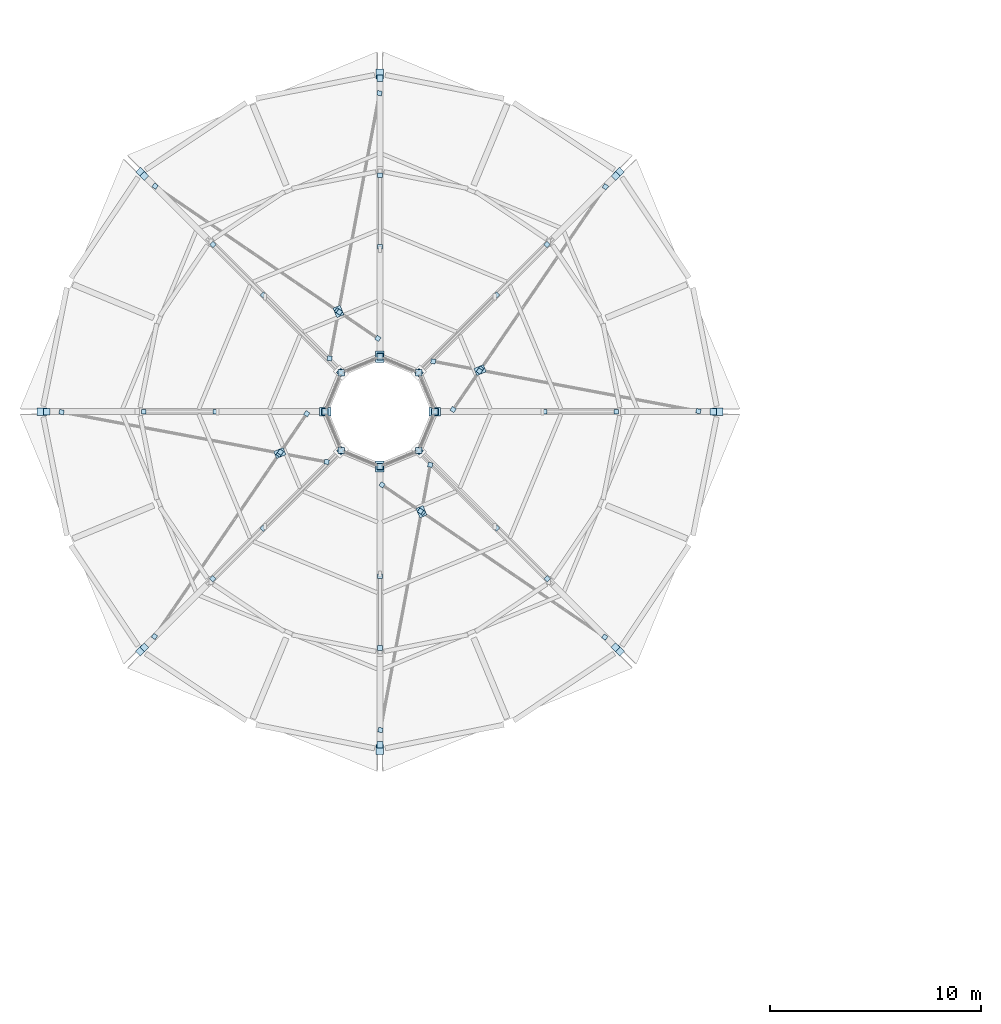
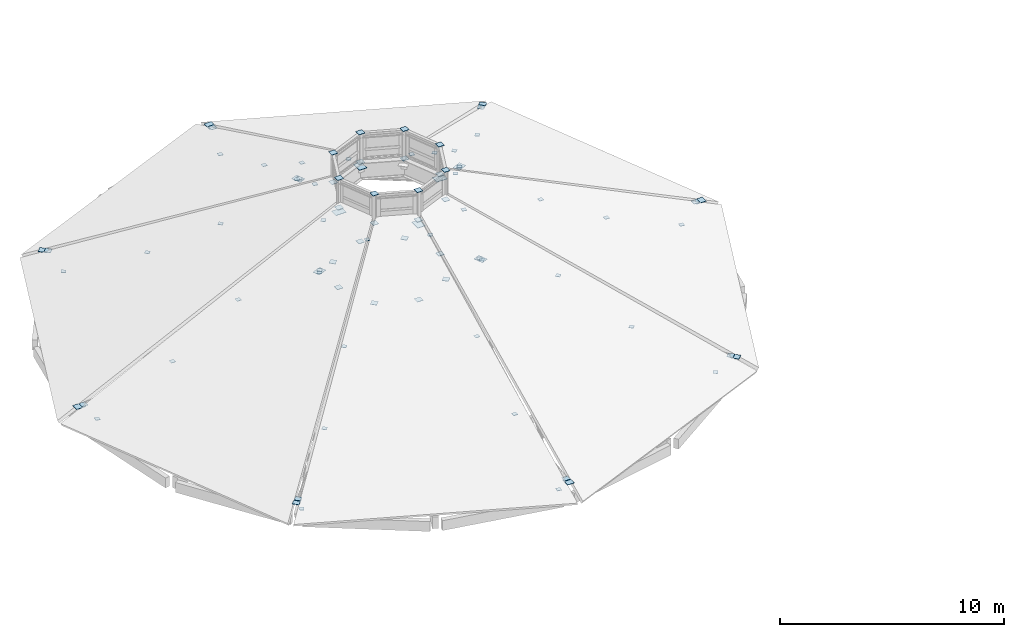
# One storey, part 48 of 66: 88 plates.
"""IFC4 building model written with IfcOpenShell, lengths in metres."""

from ifc_helpers import new_model, si_unit, direction, frame, origin, origin_2d, place, context, subcontext, project, spatial, rectangle, extrude, material, layer, layer_set, type_object, element, save


model = new_model("IFC4")

# Units and contexts
model_context = context("Model", 3, precision=1e-05, world=origin(), true_north=direction((0.0, 1.0)))
body_context = subcontext(model_context, "Body", "Model", "MODEL_VIEW")
ifc_project = project(units=[si_unit("LENGTHUNIT", "METRE"), si_unit("AREAUNIT", "SQUARE_METRE"), si_unit("VOLUMEUNIT", "CUBIC_METRE"), si_unit("PLANEANGLEUNIT", "RADIAN"), si_unit("MASSUNIT", "GRAM", prefix="KILO")], contexts=[model_context])

# Site, building, storey
site_placement = place(None, origin())
site = spatial("IfcSite", under=ifc_project, at=site_placement, CompositionType="ELEMENT")
building_placement = place(site_placement, origin())
building = spatial("IfcBuilding", under=site, at=building_placement, Name="Caldaven Crescent School", CompositionType="ELEMENT")
storey_placement = place(building_placement, frame((0.0, 0.0, 8.159912109375)))
storey = spatial("IfcBuildingStorey", under=building, at=storey_placement, Name="L02", CompositionType="ELEMENT", Elevation=8.159912109375)

# Plates
ifc_material = material(Name="Steel ASTM A572 Grade 50", Category="steel")
ifc_layer_1 = layer(ifc_material, 0.01806640625)
ifc_layer_set_1 = layer_set([ifc_layer_1], Name="Steel ASTM A572 Grade 50")
plate_type_1 = type_object("IfcPlateType", Name="PLT-CAP18", PredefinedType="USERDEFINED", material=ifc_layer_set_1)
for number, where, z_axis, x_axis, name in (
    (1, (34.695556640625, 98.5, 1.253662109375), (0.0, 0.0, 1.0), (-1.0, 0.0, 0.0), "PLT-CAP-0075-A"),
    (2, (31.306396484375, 98.5, 3.4365234375), (0.0, 0.0, 1.0), (-1.0, 0.0, 0.0), "PLT-CAP-0076-B"),
    (3, (38.58203125, 98.522216796875, -0.505859375), (0.0, 0.0, 1.0), (-0.982806687355, 0.184637524056, 0.0), "PLT-CAP-0079-A"),
    (4, (26.022216796875, 100.882080078125, 6.30615234375), (0.0, 0.0, 1.0), (-0.982806687355, 0.184637524056, 0.0), "PLT-CAP-0080-B"),
    (5, (34.18017578125, 109.14892578125, -0.505859375), (0.0, 0.0, 1.0), (-0.564390827903, -0.825507718546, 0.0), "PLT-CAP-0081-A"),
    (6, (28.273681640625, 100.509033203125, 5.07275390625), (0.0, 0.0, 1.0), (-0.564390827903, -0.825507718546, 0.0), "PLT-CAP-0082-B"),
    (7, (28.212890625, 100.420166015625, 5.130126953125), (0.0, 0.0, 1.0), (-0.564390827903, -0.825507718546, 0.0), "PLT-CAP-0083-A"),
    (8, (26.9677734375, 98.59912109375, 6.30615234375), (0.0, 0.0, 1.0), (-0.564390827903, -0.825507718546, 0.0), "PLT-CAP-0084-B"),
    (9, (31.41650390625, 106.41650390625, 1.253662109375), (0.0, 0.0, 1.0), (-0.707106781187, -0.707106781187, 0.0), "PLT-CAP-0087-A"),
    (10, (29.02001953125, 104.02001953125, 3.4365234375), (0.0, 0.0, 1.0), (-0.707106781187, -0.707106781187, 0.0), "PLT-CAP-0088-B"),
    (11, (23.5, 109.695556640625, 1.253662109375), (0.0, 0.0, 1.0), (0.0, -1.0, 0.0), "PLT-CAP-0093-A"),
    (12, (23.5, 106.306396484375, 3.4365234375), (0.0, 0.0, 1.0), (0.0, -1.0, 0.0), "PLT-CAP-0094-B"),
    (13, (23.477783203125, 113.58203125, -0.505859375), (0.0, 0.0, 1.0), (-0.184637524056, -0.982806687355, 0.0), "PLT-CAP-0097-A"),
    (14, (21.117919921875, 101.022216796875, 6.30615234375), (0.0, 0.0, 1.0), (-0.184637524056, -0.982806687355, 0.0), "PLT-CAP-0098-B"),
    (15, (12.85107421875, 109.18017578125, -0.505859375), (0.0, 0.0, 1.0), (0.825507718546, -0.564390827903, 0.0), "PLT-CAP-0099-A"),
    (16, (21.490966796875, 103.273681640625, 5.07275390625), (0.0, 0.0, 1.0), (0.825507718546, -0.564390827903, 0.0), "PLT-CAP-0100-B"),
    (17, (21.579833984375, 103.212890625, 5.130126953125), (0.0, 0.0, 1.0), (0.825507718546, -0.564390827903, 0.0), "PLT-CAP-0101-A"),
    (18, (23.40087890625, 101.9677734375, 6.30615234375), (0.0, 0.0, 1.0), (0.825507718546, -0.564390827903, 0.0), "PLT-CAP-0102-B"),
    (19, (15.58349609375, 106.41650390625, 1.253662109375), (0.0, 0.0, 1.0), (0.707106781187, -0.707106781187, 0.0), "PLT-CAP-0105-A"),
    (20, (17.97998046875, 104.02001953125, 3.4365234375), (0.0, 0.0, 1.0), (0.707106781187, -0.707106781187, 0.0), "PLT-CAP-0106-B"),
    (21, (12.304443359375, 98.5, 1.253662109375), (0.0, 0.0, 1.0), (1.0, 0.0, 0.0), "PLT-CAP-0111-A"),
    (22, (15.693603515625, 98.5, 3.4365234375), (0.0, 0.0, 1.0), (1.0, 0.0, 0.0), "PLT-CAP-0112-B"),
    (23, (8.41796875, 98.477783203125, -0.505859375), (0.0, 0.0, 1.0), (0.982806687355, -0.184637524056, 0.0), "PLT-CAP-0115-A"),
    (24, (20.977783203125, 96.117919921875, 6.30615234375), (0.0, 0.0, 1.0), (0.982806687355, -0.184637524056, 0.0), "PLT-CAP-0116-B"),
    (25, (12.81982421875, 87.85107421875, -0.505859375), (0.0, 0.0, 1.0), (0.564390827903, 0.825507718546, 0.0), "PLT-CAP-0117-A"),
    (26, (18.726318359375, 96.490966796875, 5.07275390625), (0.0, 0.0, 1.0), (0.564390827903, 0.825507718546, 0.0), "PLT-CAP-0118-B"),
    (27, (18.787109375, 96.579833984375, 5.130126953125), (0.0, 0.0, 1.0), (0.564390827903, 0.825507718546, 0.0), "PLT-CAP-0119-A"),
    (28, (20.0322265625, 98.40087890625, 6.30615234375), (0.0, 0.0, 1.0), (0.564390827903, 0.825507718546, 0.0), "PLT-CAP-0120-B"),
    (29, (15.58349609375, 90.58349609375, 1.253662109375), (0.0, 0.0, 1.0), (0.707106781187, 0.707106781187, 0.0), "PLT-CAP-0123-A"),
    (30, (17.97998046875, 92.97998046875, 3.4365234375), (0.0, 0.0, 1.0), (0.707106781187, 0.707106781187, 0.0), "PLT-CAP-0124-B"),
    (31, (23.5, 87.304443359375, 1.253662109375), (0.0, 0.0, 1.0), (0.0, 1.0, 0.0), "PLT-CAP-0129-A"),
    (32, (23.5, 90.693603515625, 3.4365234375), (0.0, 0.0, 1.0), (0.0, 1.0, 0.0), "PLT-CAP-0130-B"),
    (33, (23.522216796875, 83.41796875, -0.505859375), (0.0, 0.0, 1.0), (0.184637524056, 0.982806687355, 0.0), "PLT-CAP-0133-A"),
    (34, (25.882080078125, 95.977783203125, 6.30615234375), (0.0, 0.0, 1.0), (0.184637524056, 0.982806687355, 0.0), "PLT-CAP-0134-B"),
    (35, (34.14892578125, 87.81982421875, -0.505859375), (0.0, 0.0, 1.0), (-0.825507718546, 0.564390827903, 0.0), "PLT-CAP-0135-A"),
    (36, (25.509033203125, 93.726318359375, 5.07275390625), (0.0, 0.0, 1.0), (-0.825507718546, 0.564390827903, 0.0), "PLT-CAP-0136-B"),
    (37, (25.420166015625, 93.787109375, 5.130126953125), (0.0, 0.0, 1.0), (-0.825507718546, 0.564390827903, 0.0), "PLT-CAP-0137-A"),
    (38, (23.59912109375, 95.0322265625, 6.30615234375), (0.0, 0.0, 1.0), (-0.825507718546, 0.564390827903, 0.0), "PLT-CAP-0138-B"),
    (39, (31.41650390625, 90.58349609375, 1.253662109375), (0.0, 0.0, 1.0), (-0.707106781187, 0.707106781187, 0.0), "PLT-CAP-0141-A"),
    (40, (29.02001953125, 92.97998046875, 3.4365234375), (0.0, 0.0, 1.0), (-0.707106781187, 0.707106781187, 0.0), "PLT-CAP-0142-B"),
):
    element("IfcPlate", number, at=place(storey_placement, frame(where, z_axis=z_axis, x_axis=x_axis)), inside=storey, type_object=plate_type_1, Name=name, ObjectType="CAP_PLATE", PredefinedType="USERDEFINED", context=body_context, shape_type="SweptSolid", body=[
        extrude(rectangle(XDim=0.219970703125, YDim=0.219970703125, at=origin_2d()), origin(), (0.0, 0.0, 1.0), 0.02001953125),
    ])
ifc_layer_2 = layer(ifc_material, 0.02001953125)
ifc_layer_set_2 = layer_set([ifc_layer_2], Name="Steel ASTM A572 Grade 50")
plate_type_2 = type_object("IfcPlateType", Name="PLT-CAP24", PredefinedType="USERDEFINED", material=ifc_layer_set_2)
for number, where, z_axis, x_axis, name in (
    (41, (39.285888671875, 98.5, 0.518798828125), (0.0, 0.0, 1.0), (-1.0, 0.0, 0.0), "PLT-CAP-0073-A"),
    (42, (26.115966796875, 98.5, 2.287841796875), (0.0, 0.0, 1.0), (-1.0, 0.0, 0.0), "PLT-CAP-0074-B"),
    (43, (26.10009765625, 98.5, 6.635986328125), (0.0, 0.0, 1.0), (1.0, 0.0, 0.0), "PLT-CAP-0077-A"),
    (44, (26.10009765625, 98.5, 8.244140625), (0.0, 0.0, 1.0), (1.0, 0.0, 0.0), "PLT-CAP-0078-B"),
    (45, (34.662353515625, 109.662353515625, 0.518798828125), (0.0, 0.0, 1.0), (-0.707106781187, -0.707106781187, 0.0), "PLT-CAP-0085-A"),
    (46, (25.349609375, 100.349609375, 2.287841796875), (0.0, 0.0, 1.0), (-0.707106781187, -0.707106781187, 0.0), "PLT-CAP-0086-B"),
    (47, (25.33837890625, 100.33837890625, 6.635986328125), (0.0, 0.0, 1.0), (1.0, 0.0, 0.0), "PLT-CAP-0089-A"),
    (48, (25.33837890625, 100.33837890625, 8.244140625), (0.0, 0.0, 1.0), (1.0, 0.0, 0.0), "PLT-CAP-0090-B"),
    (49, (23.5, 114.285888671875, 0.518798828125), (0.0, 0.0, 1.0), (0.0, -1.0, 0.0), "PLT-CAP-0091-A"),
    (50, (23.5, 101.115966796875, 2.287841796875), (0.0, 0.0, 1.0), (0.0, -1.0, 0.0), "PLT-CAP-0092-B"),
    (51, (23.5, 101.10009765625, 6.635986328125), (0.0, 0.0, 1.0), (1.0, 0.0, 0.0), "PLT-CAP-0095-A"),
    (52, (23.5, 101.10009765625, 8.244140625), (0.0, 0.0, 1.0), (1.0, 0.0, 0.0), "PLT-CAP-0096-B"),
    (53, (12.337646484375, 109.662353515625, 0.518798828125), (0.0, 0.0, 1.0), (0.707106781187, -0.707106781187, 0.0), "PLT-CAP-0103-A"),
    (54, (21.650390625, 100.349609375, 2.287841796875), (0.0, 0.0, 1.0), (0.707106781187, -0.707106781187, 0.0), "PLT-CAP-0104-B"),
    (55, (21.66162109375, 100.33837890625, 6.635986328125), (0.0, 0.0, 1.0), (1.0, 0.0, 0.0), "PLT-CAP-0107-A"),
    (56, (21.66162109375, 100.33837890625, 8.244140625), (0.0, 0.0, 1.0), (1.0, 0.0, 0.0), "PLT-CAP-0108-B"),
    (57, (7.714111328125, 98.5, 0.518798828125), (0.0, 0.0, 1.0), (1.0, 0.0, 0.0), "PLT-CAP-0109-A"),
    (58, (20.884033203125, 98.5, 2.287841796875), (0.0, 0.0, 1.0), (1.0, 0.0, 0.0), "PLT-CAP-0110-B"),
    (59, (20.89990234375, 98.5, 6.635986328125), (0.0, 0.0, 1.0), (1.0, 0.0, 0.0), "PLT-CAP-0113-A"),
    (60, (20.89990234375, 98.5, 8.244140625), (0.0, 0.0, 1.0), (1.0, 0.0, 0.0), "PLT-CAP-0114-B"),
    (61, (12.337646484375, 87.337646484375, 0.518798828125), (0.0, 0.0, 1.0), (0.707106781187, 0.707106781187, 0.0), "PLT-CAP-0121-A"),
    (62, (21.650390625, 96.650390625, 2.287841796875), (0.0, 0.0, 1.0), (0.707106781187, 0.707106781187, 0.0), "PLT-CAP-0122-B"),
    (63, (21.66162109375, 96.66162109375, 6.635986328125), (0.0, 0.0, 1.0), (1.0, 0.0, 0.0), "PLT-CAP-0125-A"),
    (64, (21.66162109375, 96.66162109375, 8.244140625), (0.0, 0.0, 1.0), (1.0, 0.0, 0.0), "PLT-CAP-0126-B"),
    (65, (23.5, 82.714111328125, 0.518798828125), (0.0, 0.0, 1.0), (0.0, 1.0, 0.0), "PLT-CAP-0127-A"),
    (66, (23.5, 95.884033203125, 2.287841796875), (0.0, 0.0, 1.0), (0.0, 1.0, 0.0), "PLT-CAP-0128-B"),
    (67, (23.5, 95.89990234375, 6.635986328125), (0.0, 0.0, 1.0), (1.0, 0.0, 0.0), "PLT-CAP-0131-A"),
    (68, (23.5, 95.89990234375, 8.244140625), (0.0, 0.0, 1.0), (1.0, 0.0, 0.0), "PLT-CAP-0132-B"),
    (69, (34.662353515625, 87.337646484375, 0.518798828125), (0.0, 0.0, 1.0), (-0.707106781187, 0.707106781187, 0.0), "PLT-CAP-0139-A"),
    (70, (25.349609375, 96.650390625, 2.287841796875), (0.0, 0.0, 1.0), (-0.707106781187, 0.707106781187, 0.0), "PLT-CAP-0140-B"),
    (71, (25.33837890625, 96.66162109375, 6.635986328125), (0.0, 0.0, 1.0), (1.0, 0.0, 0.0), "PLT-CAP-0143-A"),
    (72, (25.33837890625, 96.66162109375, 8.244140625), (0.0, 0.0, 1.0), (1.0, 0.0, 0.0), "PLT-CAP-0144-B"),
):
    element("IfcPlate", number, at=place(storey_placement, frame(where, z_axis=z_axis, x_axis=x_axis)), inside=storey, type_object=plate_type_2, Name=name, ObjectType="CAP_PLATE", PredefinedType="USERDEFINED", context=body_context, shape_type="SweptSolid", body=[
        extrude(rectangle(XDim=0.300048828125, YDim=0.300048828125, at=origin_2d()), origin(), (0.0, 0.0, 1.0), 0.02001953125),
    ])
ifc_layer_3 = layer(ifc_material, 0.02001953125)
ifc_layer_set_3 = layer_set([ifc_layer_3], Name="Steel ASTM A572 Grade 50")
plate_type_3 = type_object("IfcPlateType", Name="PLT-GUS1", PredefinedType="USERDEFINED", material=ifc_layer_set_3)
for number, where, z_axis, x_axis, name in (
    (73, (39.5, 98.5, 0.489990234375), (0.0, 0.0, 1.0), (1.0, 0.0, 0.0), "GUS-V2-00-EAV"),
    (74, (28.2431640625, 100.464599609375, 5.1015625), (0.0, 0.0, 1.0), (0.923879532511, 0.382683432365, 0.0), "GUS-XBR-V2-00"),
    (75, (23.5, 114.5, 0.489990234375), (0.0, 0.0, 1.0), (0.0, 1.0, 0.0), "GUS-V2-02-EAV"),
    (76, (21.535400390625, 103.2431640625, 5.1015625), (0.0, 0.0, 1.0), (-0.382683432365, 0.923879532511, 0.0), "GUS-XBR-V2-02"),
    (77, (7.5, 98.5, 0.489990234375), (0.0, 0.0, 1.0), (-1.0, 0.0, 0.0), "GUS-V2-04-EAV"),
    (78, (18.7568359375, 96.535400390625, 5.1015625), (0.0, 0.0, 1.0), (-0.923879532511, -0.382683432365, 0.0), "GUS-XBR-V2-04"),
    (79, (23.5, 82.5, 0.489990234375), (0.0, 0.0, 1.0), (0.0, -1.0, 0.0), "GUS-V2-06-EAV"),
    (80, (25.464599609375, 93.7568359375, 5.1015625), (0.0, 0.0, 1.0), (0.382683432365, -0.923879532511, 0.0), "GUS-XBR-V2-06"),
):
    element("IfcPlate", number, at=place(storey_placement, frame(where, z_axis=z_axis, x_axis=x_axis)), inside=storey, type_object=plate_type_3, Name=name, ObjectType="GUSSET_PLATE", PredefinedType="USERDEFINED", context=body_context, shape_type="SweptSolid", body=[
        extrude(rectangle(XDim=0.47998046875, YDim=0.360107421875, at=origin_2d()), origin(), (0.0, 0.0, 1.0), 0.02001953125),
    ])
ifc_layer_4 = layer(ifc_material, 0.01806640625)
ifc_layer_set_4 = layer_set([ifc_layer_4], Name="Steel ASTM A572 Grade 50")
plate_type_4 = type_object("IfcPlateType", Name="PLT-GUS2", PredefinedType="USERDEFINED", material=ifc_layer_set_4)
for number, where, z_axis, x_axis, name in (
    (81, (34.813720703125, 109.813720703125, 0.490966796875), (0.0, 0.0, 1.0), (0.707106781187, 0.707106781187, 0.0), "GUS-V2-01-EAV"),
    (82, (12.186279296875, 109.813720703125, 0.490966796875), (0.0, 0.0, 1.0), (-0.707106781187, 0.707106781187, 0.0), "GUS-V2-03-EAV"),
    (83, (12.186279296875, 87.186279296875, 0.490966796875), (0.0, 0.0, 1.0), (-0.707106781187, -0.707106781187, 0.0), "GUS-V2-05-EAV"),
    (84, (34.813720703125, 87.186279296875, 0.490966796875), (0.0, 0.0, 1.0), (0.707106781187, -0.707106781187, 0.0), "GUS-V2-07-EAV"),
):
    element("IfcPlate", number, at=place(storey_placement, frame(where, z_axis=z_axis, x_axis=x_axis)), inside=storey, type_object=plate_type_4, Name=name, ObjectType="GUSSET_PLATE", PredefinedType="USERDEFINED", context=body_context, shape_type="SweptSolid", body=[
        extrude(rectangle(XDim=0.419921875, YDim=0.320068359375, at=origin_2d()), origin(), (0.0, 0.0, 1.0), 0.01806640625),
    ])
ifc_layer_5 = layer(ifc_material, 0.02001953125)
ifc_layer_set_5 = layer_set([ifc_layer_5], Name="Steel ASTM A572 Grade 50")
plate_type_5 = type_object("IfcPlateType", Name="PLT-GUS3", PredefinedType="USERDEFINED", material=ifc_layer_set_5)
for number, where, z_axis, x_axis, name in (
    (85, (26.10009765625, 98.5, 6.400146484375), (0.0, 0.0, 1.0), (1.0, 0.0, 0.0), "GUS-V2-00-RNG"),
    (86, (23.5, 101.10009765625, 6.400146484375), (0.0, 0.0, 1.0), (0.0, 1.0, 0.0), "GUS-V2-02-RNG"),
    (87, (20.89990234375, 98.5, 6.400146484375), (0.0, 0.0, 1.0), (-1.0, 0.0, 0.0), "GUS-V2-04-RNG"),
    (88, (23.5, 95.89990234375, 6.400146484375), (0.0, 0.0, 1.0), (0.0, -1.0, 0.0), "GUS-V2-06-RNG"),
):
    element("IfcPlate", number, at=place(storey_placement, frame(where, z_axis=z_axis, x_axis=x_axis)), inside=storey, type_object=plate_type_5, Name=name, ObjectType="GUSSET_PLATE", PredefinedType="USERDEFINED", context=body_context, shape_type="SweptSolid", body=[
        extrude(rectangle(XDim=0.5400390625, YDim=0.39990234375, at=origin_2d()), origin(), (0.0, 0.0, 1.0), 0.02001953125),
    ])

save(model, "model.ifc")
